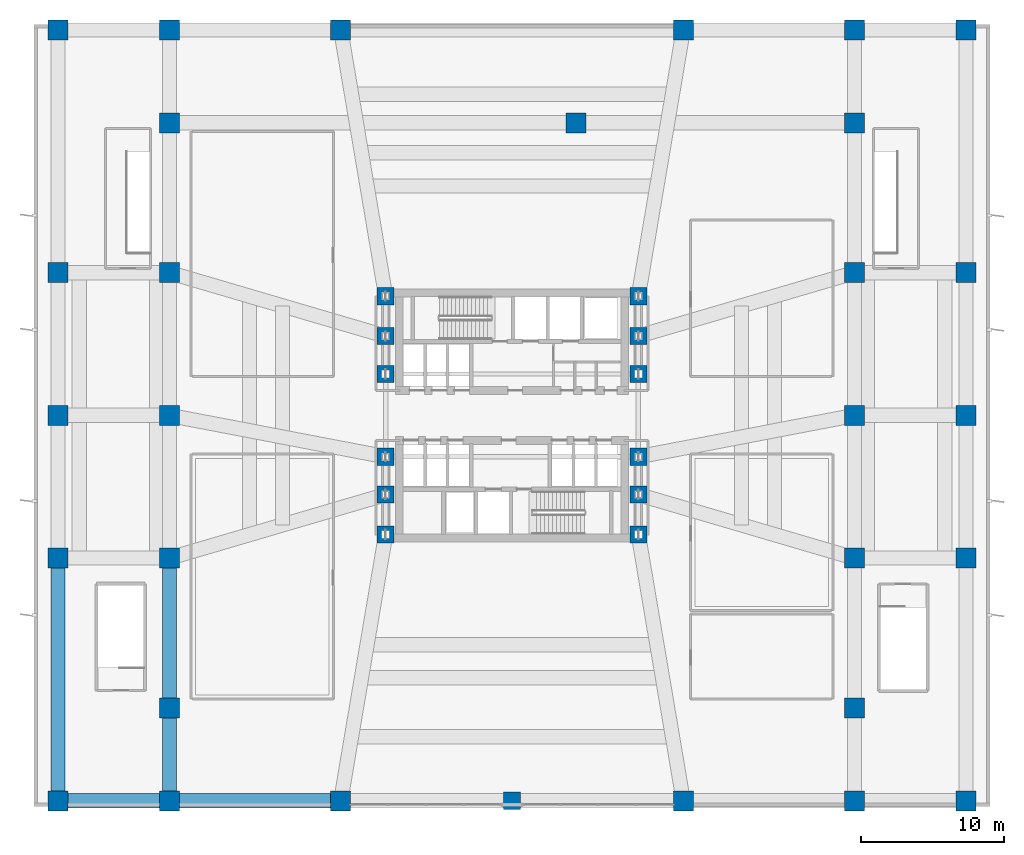
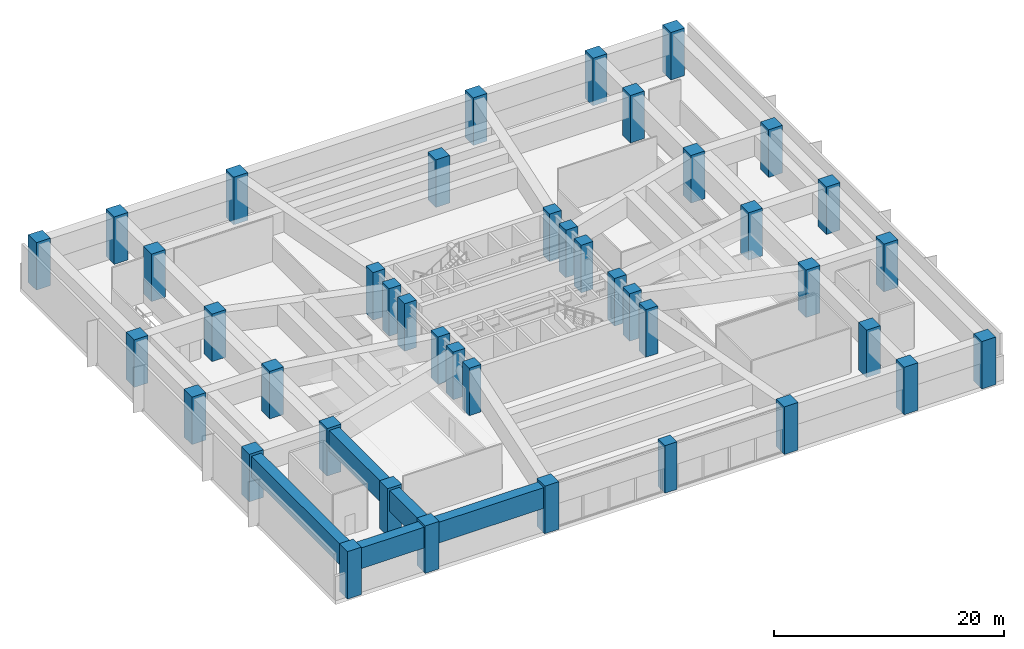
# One storey, part 1 of 14: 42 columns, 5 beams.
"""IFC4 building model written with IfcOpenShell, lengths in metres."""

from ifc_helpers import new_model, si_unit, direction, frame, origin, origin_2d, place, context, subcontext, project, spatial, rectangle, extrude, material, material_profile, profile_set, type_object, element, save


model = new_model("IFC4")

# Units and contexts
model_context = context("Model", 3, precision=1e-05, world=origin(), true_north=direction((0.0, 1.0)))
body_context = subcontext(model_context, "Body", "Model", "MODEL_VIEW")
ifc_project = project(units=[si_unit("LENGTHUNIT", "METRE"), si_unit("AREAUNIT", "SQUARE_METRE"), si_unit("VOLUMEUNIT", "CUBIC_METRE"), si_unit("PLANEANGLEUNIT", "RADIAN"), si_unit("MASSUNIT", "GRAM", prefix="KILO")], contexts=[model_context])

# Site, building, storey
site_placement = place(None, origin())
site = spatial("IfcSite", under=ifc_project, at=site_placement, CompositionType="ELEMENT")
building_placement = place(site_placement, origin())
building = spatial("IfcBuilding", under=site, at=building_placement, Name="Solmarez Civic Tower", CompositionType="ELEMENT")
storey_placement = place(building_placement, frame((0.0, 0.0, 19.43994140625)))
storey = spatial("IfcBuildingStorey", under=building, at=storey_placement, Name="L04", CompositionType="ELEMENT", Elevation=19.43994140625)

# Columns
ifc_material = material(Name="Concrete C60/75", Category="concrete")
ifc_material_profile_1 = material_profile(ifc_material, rectangle(XDim=1.199951171875, YDim=1.199951171875, at=origin_2d()), Name="RC1200X1200")
ifc_profile_set_1 = profile_set([ifc_material_profile_1], Name="Concrete C60/75")
column_type_1 = type_object("IfcColumnType", Name="COL-RC1200", PredefinedType="COLUMN", material=ifc_profile_set_1)
for number, where, z_axis, x_axis, name in (
    (1, (-8.85009765625, -5.550048828125, 0.0), (0.0, 0.0, 1.0), (1.0, 0.0, 0.0), "L04 Structural Column HC1"),
    (2, (-8.85009765625, -2.89990234375, 0.0), (0.0, 0.0, 1.0), (1.0, 0.0, 0.0), "L04 Structural Column HC2"),
    (3, (-8.85009765625, 2.89990234375, 0.0), (0.0, 0.0, 1.0), (1.0, 0.0, 0.0), "L04 Structural Column HC3"),
    (4, (-8.85009765625, 5.550048828125, 0.0), (0.0, 0.0, 1.0), (1.0, 0.0, 0.0), "L04 Structural Column HC4"),
    (5, (8.85009765625, -5.550048828125, 0.0), (0.0, 0.0, 1.0), (1.0, 0.0, 0.0), "L04 Structural Column HC5"),
    (6, (8.85009765625, -2.89990234375, 0.0), (0.0, 0.0, 1.0), (1.0, 0.0, 0.0), "L04 Structural Column HC6"),
    (7, (8.85009765625, 2.89990234375, 0.0), (0.0, 0.0, 1.0), (1.0, 0.0, 0.0), "L04 Structural Column HC7"),
    (8, (8.85009765625, 5.550048828125, 0.0), (0.0, 0.0, 1.0), (1.0, 0.0, 0.0), "L04 Structural Column HC8"),
    (9, (-8.85009765625, 8.35009765625, 0.0), (0.0, 0.0, 1.0), (1.0, 0.0, 0.0), "L04 Structural Column HC9"),
    (10, (8.85009765625, -8.35009765625, 0.0), (0.0, 0.0, 1.0), (1.0, 0.0, 0.0), "L04 Structural Column HC10"),
    (11, (8.85009765625, 8.35009765625, 0.0), (0.0, 0.0, 1.0), (1.0, 0.0, 0.0), "L04 Structural Column HC11"),
    (12, (-8.85009765625, -8.35009765625, 0.0), (0.0, 0.0, 1.0), (1.0, 0.0, 0.0), "L04 Structural Column HC12"),
    (13, (0.0, -27.0, 0.0), (0.0, 0.0, 1.0), (1.0, 0.0, 0.0), "L04 Structural Column PC26"),
):
    element("IfcColumn", number, at=place(storey_placement, frame(where, z_axis=z_axis, x_axis=x_axis)), inside=storey, type_object=column_type_1, Name=name, PredefinedType="COLUMN", context=body_context, shape_type="SweptSolid", body=[
        extrude(rectangle(XDim=1.199951171875, YDim=1.199951171875, at=origin_2d()), origin(), (0.0, 0.0, 1.0), 5.0400390625),
    ])
ifc_material_profile_2 = material_profile(ifc_material, rectangle(XDim=1.39990234375, YDim=1.39990234375, at=origin_2d()), Name="RC1400X1400")
ifc_profile_set_2 = profile_set([ifc_material_profile_2], Name="Concrete C60/75")
column_type_2 = type_object("IfcColumnType", Name="COL-RC1400", PredefinedType="COLUMN", material=ifc_profile_set_2)
for number, where, z_axis, x_axis, name in (
    (14, (-31.800048828125, -27.0, 0.0), (0.0, 0.0, 1.0), (1.0, 0.0, 0.0), "L04 Structural Column PC01"),
    (15, (-24.0, -27.0, 0.0), (0.0, 0.0, 1.0), (1.0, 0.0, 0.0), "L04 Structural Column PC02"),
    (16, (-12.0, -27.0, 0.0), (0.0, 0.0, 1.0), (1.0, 0.0, 0.0), "L04 Structural Column PC03"),
    (17, (12.0, -27.0, 0.0), (0.0, 0.0, 1.0), (1.0, 0.0, 0.0), "L04 Structural Column PC04"),
    (18, (24.0, -27.0, 0.0), (0.0, 0.0, 1.0), (1.0, 0.0, 0.0), "L04 Structural Column PC05"),
    (19, (31.800048828125, -27.0, 0.0), (0.0, 0.0, 1.0), (1.0, 0.0, 0.0), "L04 Structural Column PC06"),
    (20, (-31.800048828125, 27.0, 0.0), (0.0, 0.0, 1.0), (1.0, 0.0, 0.0), "L04 Structural Column PC07"),
    (21, (-24.0, 27.0, 0.0), (0.0, 0.0, 1.0), (1.0, 0.0, 0.0), "L04 Structural Column PC08"),
    (22, (-12.0, 27.0, 0.0), (0.0, 0.0, 1.0), (1.0, 0.0, 0.0), "L04 Structural Column PC09"),
    (23, (12.0, 27.0, 0.0), (0.0, 0.0, 1.0), (1.0, 0.0, 0.0), "L04 Structural Column PC10"),
    (24, (24.0, 27.0, 0.0), (0.0, 0.0, 1.0), (1.0, 0.0, 0.0), "L04 Structural Column PC11"),
    (25, (31.800048828125, 27.0, 0.0), (0.0, 0.0, 1.0), (1.0, 0.0, 0.0), "L04 Structural Column PC12"),
    (26, (-31.800048828125, -10.0, 0.0), (0.0, 0.0, 1.0), (1.0, 0.0, 0.0), "L04 Structural Column PC13"),
    (27, (-31.800048828125, 0.0, 0.0), (0.0, 0.0, 1.0), (1.0, 0.0, 0.0), "L04 Structural Column PC14"),
    (28, (-31.800048828125, 10.0, 0.0), (0.0, 0.0, 1.0), (1.0, 0.0, 0.0), "L04 Structural Column PC15"),
    (29, (31.800048828125, -10.0, 0.0), (0.0, 0.0, 1.0), (1.0, 0.0, 0.0), "L04 Structural Column PC16"),
    (30, (31.800048828125, 0.0, 0.0), (0.0, 0.0, 1.0), (1.0, 0.0, 0.0), "L04 Structural Column PC17"),
    (31, (31.800048828125, 10.0, 0.0), (0.0, 0.0, 1.0), (1.0, 0.0, 0.0), "L04 Structural Column PC18"),
    (32, (-24.0, -10.0, 0.0), (0.0, 0.0, 1.0), (1.0, 0.0, 0.0), "L04 Structural Column PC19"),
    (33, (-24.0, 0.0, 0.0), (0.0, 0.0, 1.0), (1.0, 0.0, 0.0), "L04 Structural Column PC20"),
    (34, (-24.0, 10.0, 0.0), (0.0, 0.0, 1.0), (1.0, 0.0, 0.0), "L04 Structural Column PC21"),
    (35, (24.0, -10.0, 0.0), (0.0, 0.0, 1.0), (1.0, 0.0, 0.0), "L04 Structural Column PC22"),
    (36, (24.0, 0.0, 0.0), (0.0, 0.0, 1.0), (1.0, 0.0, 0.0), "L04 Structural Column PC23"),
    (37, (24.0, 10.0, 0.0), (0.0, 0.0, 1.0), (1.0, 0.0, 0.0), "L04 Structural Column PC24"),
    (38, (4.5, 20.5, 0.0), (0.0, 0.0, 1.0), (1.0, 0.0, 0.0), "L04 Structural Column PC25"),
    (39, (-24.0, -20.5, 0.0), (0.0, 0.0, 1.0), (1.0, 0.0, 0.0), "L04 Structural Column PC27"),
    (40, (24.0, -20.5, 0.0), (0.0, 0.0, 1.0), (1.0, 0.0, 0.0), "L04 Structural Column PC28"),
    (41, (-24.0, 20.5, 0.0), (0.0, 0.0, 1.0), (1.0, 0.0, 0.0), "L04 Structural Column PC29"),
    (42, (24.0, 20.5, 0.0), (0.0, 0.0, 1.0), (1.0, 0.0, 0.0), "L04 Structural Column PC30"),
):
    element("IfcColumn", number, at=place(storey_placement, frame(where, z_axis=z_axis, x_axis=x_axis)), inside=storey, type_object=column_type_2, Name=name, PredefinedType="COLUMN", context=body_context, shape_type="SweptSolid", body=[
        extrude(rectangle(XDim=1.39990234375, YDim=1.39990234375, at=origin_2d()), origin(), (0.0, 0.0, 1.0), 5.0400390625),
    ])

# Beams
ifc_material_profile_3 = material_profile(ifc_material, rectangle(XDim=1.0, YDim=2.199951171875, at=origin_2d()), Name="RC1000X2200")
ifc_profile_set_3 = profile_set([ifc_material_profile_3], Name="Concrete C60/75")
beam_type = type_object("IfcBeamType", Name="BM-TG-RC1000X2200", PredefinedType="USERDEFINED", material=ifc_profile_set_3)
beam_1_placement = place(storey_placement, frame((-31.800048828125, -27.0, 3.68017578125), z_axis=(1.0, 0.0, 0.0), x_axis=(0.0, 1.0, 0.0)))
element("IfcBeam", 43, at=beam_1_placement, inside=storey, type_object=beam_type, Name="L04 Transfer Girder BM-L04-PC01-PC02", ObjectType="TRANSFER_GIRDER", PredefinedType="USERDEFINED", context=body_context, shape_type="SweptSolid", body=[
    extrude(rectangle(XDim=1.0, YDim=2.199951171875, at=origin_2d()), origin(), (0.0, 0.0, 1.0), 7.800048828125),
])
beam_2_placement = place(storey_placement, frame((-24.0, -27.0, 3.68017578125), z_axis=(1.0, 0.0, 0.0), x_axis=(0.0, 1.0, 0.0)))
element("IfcBeam", 44, at=beam_2_placement, inside=storey, type_object=beam_type, Name="L04 Transfer Girder BM-L04-PC02-PC03", ObjectType="TRANSFER_GIRDER", PredefinedType="USERDEFINED", context=body_context, shape_type="SweptSolid", body=[
    extrude(rectangle(XDim=1.0, YDim=2.199951171875, at=origin_2d()), origin(), (0.0, 0.0, 1.0), 12.0),
])
beam_3_placement = place(storey_placement, frame((-31.800048828125, -27.0, 3.68017578125), z_axis=(0.0, 1.0, 0.0), x_axis=(-1.0, 0.0, 0.0)))
element("IfcBeam", 45, at=beam_3_placement, inside=storey, type_object=beam_type, Name="L04 Transfer Girder BM-L04-PC01-PC13", ObjectType="TRANSFER_GIRDER", PredefinedType="USERDEFINED", context=body_context, shape_type="SweptSolid", body=[
    extrude(rectangle(XDim=1.0, YDim=2.199951171875, at=origin_2d()), origin(), (0.0, 0.0, 1.0), 17.0),
])
beam_4_placement = place(storey_placement, frame((-24.0, -27.0, 3.68017578125), z_axis=(0.0, 1.0, 0.0), x_axis=(-1.0, 0.0, 0.0)))
element("IfcBeam", 46, at=beam_4_placement, inside=storey, type_object=beam_type, Name="L04 Transfer Girder BM-L04-PC02-PC27", ObjectType="TRANSFER_GIRDER", PredefinedType="USERDEFINED", context=body_context, shape_type="SweptSolid", body=[
    extrude(rectangle(XDim=1.0, YDim=2.199951171875, at=origin_2d()), origin(), (0.0, 0.0, 1.0), 6.5),
])
beam_5_placement = place(storey_placement, frame((-24.0, -20.5, 3.68017578125), z_axis=(0.0, 1.0, 0.0), x_axis=(-1.0, 0.0, 0.0)))
element("IfcBeam", 47, at=beam_5_placement, inside=storey, type_object=beam_type, Name="L04 Transfer Girder BM-L04-PC27-PC19", ObjectType="TRANSFER_GIRDER", PredefinedType="USERDEFINED", context=body_context, shape_type="SweptSolid", body=[
    extrude(rectangle(XDim=1.0, YDim=2.199951171875, at=origin_2d()), origin(), (0.0, 0.0, 1.0), 10.5),
])

save(model, "model.ifc")
